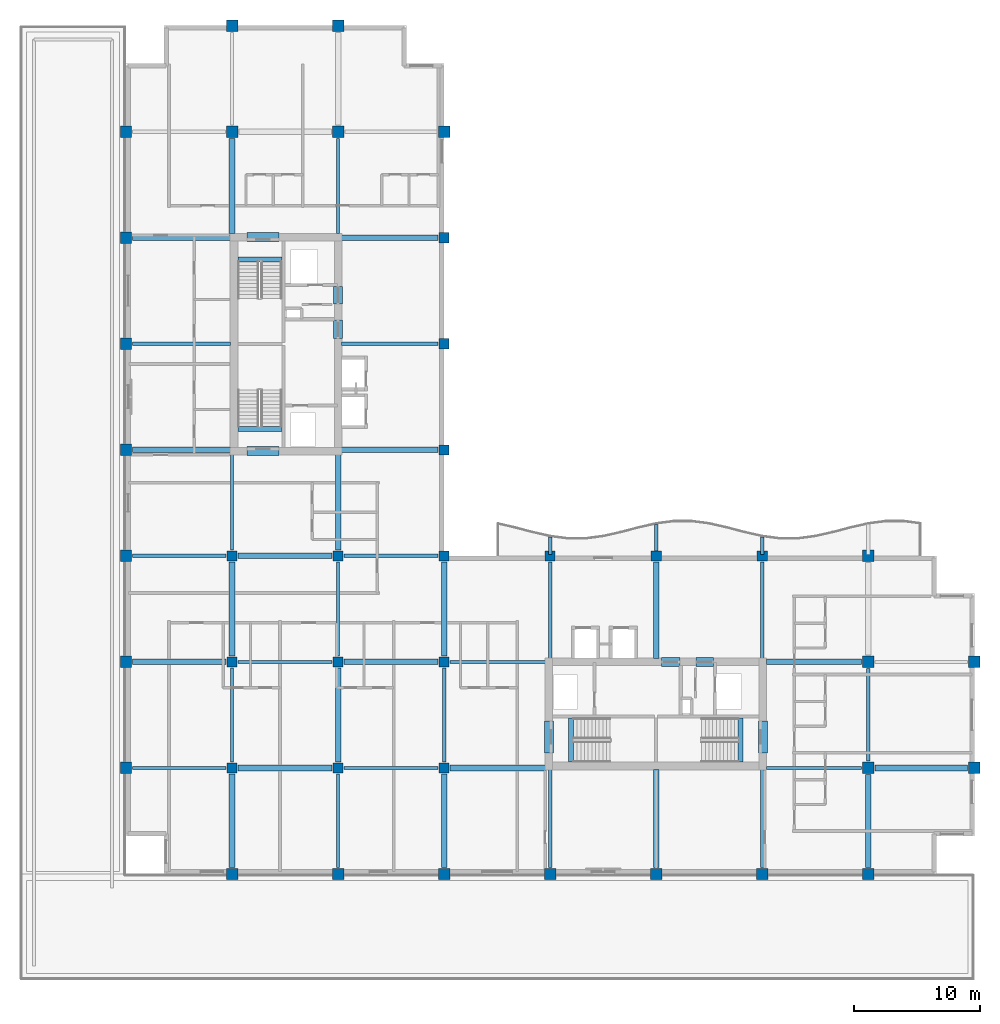
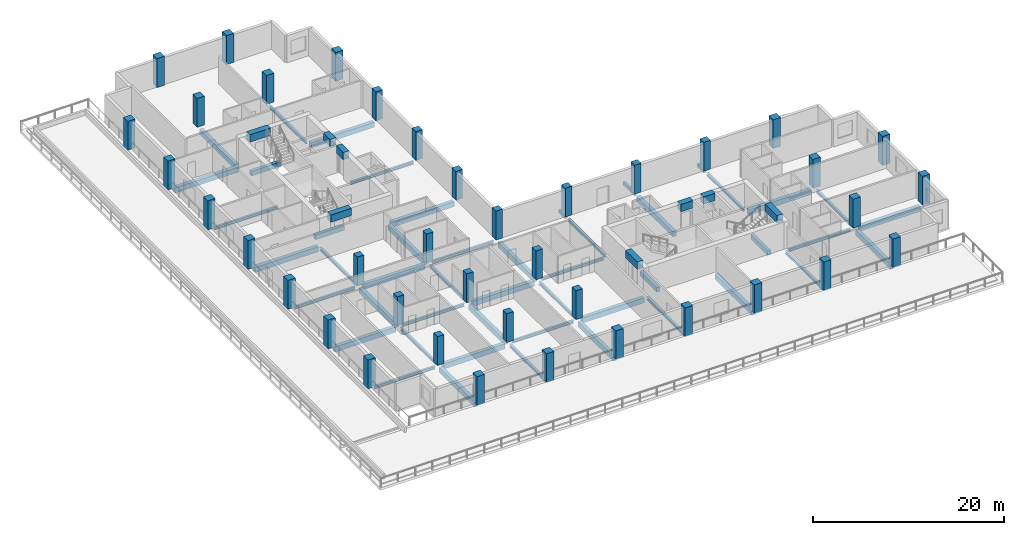
# One storey, part 1 of 13: 56 beams, 39 columns.
"""IFC4 building model written with IfcOpenShell, lengths in metres."""

from ifc_helpers import new_model, si_unit, direction, frame, origin, origin_2d, place, context, subcontext, project, spatial, rectangle, i_section, extrude, material, material_profile, profile_set, type_object, element, save


model = new_model("IFC4")

# Units and contexts
model_context = context("Model", 3, precision=1e-05, world=origin(), true_north=direction((0.0, 1.0)))
body_context = subcontext(model_context, "Body", "Model", "MODEL_VIEW")
ifc_project = project(units=[si_unit("LENGTHUNIT", "METRE"), si_unit("AREAUNIT", "SQUARE_METRE"), si_unit("VOLUMEUNIT", "CUBIC_METRE"), si_unit("PLANEANGLEUNIT", "RADIAN"), si_unit("MASSUNIT", "GRAM", prefix="KILO")], contexts=[model_context])

# Site, building, storey
site_placement = place(None, origin())
site = spatial("IfcSite", under=ifc_project, at=site_placement, CompositionType="ELEMENT")
building_placement = place(site_placement, origin())
building = spatial("IfcBuilding", under=site, at=building_placement, Name="Koriwani Terraces Tower", CompositionType="ELEMENT")
storey_placement = place(building_placement, frame((0.0, 0.0, 234.199951171875)))
storey = spatial("IfcBuildingStorey", under=building, at=storey_placement, Name="L57", CompositionType="ELEMENT", Elevation=234.199951171875)

# Columns
ifc_material_1 = material(Name="Concrete C50/60", Category="concrete")
ifc_material_profile_1 = material_profile(ifc_material_1, rectangle(XDim=0.800048828125, YDim=0.800048828125, at=origin_2d()), Name="Concrete C50/60", Category="LoadBearing")
ifc_profile_set_1 = profile_set([ifc_material_profile_1], Name="Concrete C50/60")
column_type_1 = type_object("IfcColumnType", Name="COL_RC_800X800", PredefinedType="COLUMN", material=ifc_profile_set_1)
for number, where, z_axis, x_axis, name in (
    (1, (16.800048828125, 16.800048828125, 0.0), (0.0, 0.0, 1.0), (1.0, 0.0, 0.0), "L57 Column 3/C"),
    (2, (16.800048828125, 25.199951171875, 0.0), (0.0, 0.0, 1.0), (1.0, 0.0, 0.0), "L57 Column 3/D"),
    (3, (16.800048828125, 33.60009765625, 0.0), (0.0, 0.0, 1.0), (1.0, 0.0, 0.0), "L57 Column 3/E"),
    (4, (25.199951171875, 16.800048828125, 0.0), (0.0, 0.0, 1.0), (1.0, 0.0, 0.0), "L57 Column 4/C"),
    (5, (25.199951171875, 25.199951171875, 0.0), (0.0, 0.0, 1.0), (1.0, 0.0, 0.0), "L57 Column 4/D"),
    (6, (25.199951171875, 33.60009765625, 0.0), (0.0, 0.0, 1.0), (1.0, 0.0, 0.0), "L57 Column 4/E"),
    (7, (33.60009765625, 16.800048828125, 0.0), (0.0, 0.0, 1.0), (1.0, 0.0, 0.0), "L57 Column 5/C"),
    (8, (33.60009765625, 25.199951171875, 0.0), (0.0, 0.0, 1.0), (1.0, 0.0, 0.0), "L57 Column 5/D"),
    (9, (33.60009765625, 33.60009765625, 0.0), (0.0, 0.0, 1.0), (1.0, 0.0, 0.0), "L57 Column 5/E"),
    (10, (33.60009765625, 42.0, 0.0), (0.0, 0.0, 1.0), (1.0, 0.0, 0.0), "L57 Column 5/F"),
    (11, (33.60009765625, 50.39990234375, 0.0), (0.0, 0.0, 1.0), (1.0, 0.0, 0.0), "L57 Column 5/G"),
    (12, (33.60009765625, 58.800048828125, 0.0), (0.0, 0.0, 1.0), (1.0, 0.0, 0.0), "L57 Column 5/H"),
    (13, (42.0, 33.60009765625, 0.0), (0.0, 0.0, 1.0), (1.0, 0.0, 0.0), "L57 Column 6/E"),
    (14, (50.39990234375, 33.60009765625, 0.0), (0.0, 0.0, 1.0), (1.0, 0.0, 0.0), "L57 Column 7/E"),
    (15, (58.800048828125, 33.60009765625, 0.0), (0.0, 0.0, 1.0), (1.0, 0.0, 0.0), "L57 Column 8/E"),
):
    element("IfcColumn", number, at=place(storey_placement, frame(where, z_axis=z_axis, x_axis=x_axis)), inside=storey, type_object=column_type_1, Name=name, PredefinedType="COLUMN", context=body_context, shape_type="SweptSolid", body=[
        extrude(rectangle(XDim=0.800048828125, YDim=0.800048828125, at=origin_2d()), origin(), (0.0, 0.0, 1.0), 3.699951171875),
    ])
ifc_material_profile_2 = material_profile(ifc_material_1, rectangle(XDim=0.89990234375, YDim=0.89990234375, at=origin_2d()), Name="Concrete C50/60", Category="LoadBearing")
ifc_profile_set_2 = profile_set([ifc_material_profile_2], Name="Concrete C50/60")
column_type_2 = type_object("IfcColumnType", Name="COL_RC_900X900", PredefinedType="COLUMN", material=ifc_profile_set_2)
for number, where, z_axis, x_axis, name in (
    (16, (8.39990234375, 16.800048828125, 0.0), (0.0, 0.0, 1.0), (1.0, 0.0, 0.0), "L57 Column 2/C"),
    (17, (8.39990234375, 25.199951171875, 0.0), (0.0, 0.0, 1.0), (1.0, 0.0, 0.0), "L57 Column 2/D"),
    (18, (8.39990234375, 33.60009765625, 0.0), (0.0, 0.0, 1.0), (1.0, 0.0, 0.0), "L57 Column 2/E"),
    (19, (8.39990234375, 42.0, 0.0), (0.0, 0.0, 1.0), (1.0, 0.0, 0.0), "L57 Column 2/F"),
    (20, (8.39990234375, 50.39990234375, 0.0), (0.0, 0.0, 1.0), (1.0, 0.0, 0.0), "L57 Column 2/G"),
    (21, (8.39990234375, 58.800048828125, 0.0), (0.0, 0.0, 1.0), (1.0, 0.0, 0.0), "L57 Column 2/H"),
    (22, (8.39990234375, 67.199951171875, 0.0), (0.0, 0.0, 1.0), (1.0, 0.0, 0.0), "L57 Column 2/I"),
    (23, (16.800048828125, 8.39990234375, 0.0), (0.0, 0.0, 1.0), (1.0, 0.0, 0.0), "L57 Column 3/B"),
    (24, (16.800048828125, 67.199951171875, 0.0), (0.0, 0.0, 1.0), (1.0, 0.0, 0.0), "L57 Column 3/I"),
    (25, (16.800048828125, 75.60009765625, 0.0), (0.0, 0.0, 1.0), (1.0, 0.0, 0.0), "L57 Column 3/J"),
    (26, (25.199951171875, 8.39990234375, 0.0), (0.0, 0.0, 1.0), (1.0, 0.0, 0.0), "L57 Column 4/B"),
    (27, (25.199951171875, 67.199951171875, 0.0), (0.0, 0.0, 1.0), (1.0, 0.0, 0.0), "L57 Column 4/I"),
    (28, (25.199951171875, 75.60009765625, 0.0), (0.0, 0.0, 1.0), (1.0, 0.0, 0.0), "L57 Column 4/J"),
    (29, (33.60009765625, 8.39990234375, 0.0), (0.0, 0.0, 1.0), (1.0, 0.0, 0.0), "L57 Column 5/B"),
    (30, (33.60009765625, 67.199951171875, 0.0), (0.0, 0.0, 1.0), (1.0, 0.0, 0.0), "L57 Column 5/I"),
    (31, (42.0, 8.39990234375, 0.0), (0.0, 0.0, 1.0), (1.0, 0.0, 0.0), "L57 Column 6/B"),
    (32, (50.39990234375, 8.39990234375, 0.0), (0.0, 0.0, 1.0), (1.0, 0.0, 0.0), "L57 Column 7/B"),
    (33, (58.800048828125, 8.39990234375, 0.0), (0.0, 0.0, 1.0), (1.0, 0.0, 0.0), "L57 Column 8/B"),
    (34, (67.199951171875, 8.39990234375, 0.0), (0.0, 0.0, 1.0), (1.0, 0.0, 0.0), "L57 Column 9/B"),
    (35, (67.199951171875, 16.800048828125, 0.0), (0.0, 0.0, 1.0), (1.0, 0.0, 0.0), "L57 Column 9/C"),
    (36, (67.199951171875, 25.199951171875, 0.0), (0.0, 0.0, 1.0), (1.0, 0.0, 0.0), "L57 Column 9/D"),
    (37, (67.199951171875, 33.60009765625, 0.0), (0.0, 0.0, 1.0), (1.0, 0.0, 0.0), "L57 Column 9/E"),
    (38, (75.60009765625, 16.800048828125, 0.0), (0.0, 0.0, 1.0), (1.0, 0.0, 0.0), "L57 Column 10/C"),
    (39, (75.60009765625, 25.199951171875, 0.0), (0.0, 0.0, 1.0), (1.0, 0.0, 0.0), "L57 Column 10/D"),
):
    element("IfcColumn", number, at=place(storey_placement, frame(where, z_axis=z_axis, x_axis=x_axis)), inside=storey, type_object=column_type_2, Name=name, PredefinedType="COLUMN", context=body_context, shape_type="SweptSolid", body=[
        extrude(rectangle(XDim=0.89990234375, YDim=0.89990234375, at=origin_2d()), origin(), (0.0, 0.0, 1.0), 3.699951171875),
    ])

# Beams
ifc_material_2 = material(Name="Concrete C40/50", Category="concrete")
ifc_material_profile_3 = material_profile(ifc_material_2, rectangle(XDim=0.300048828125, YDim=0.39990234375, at=origin_2d()), Name="Concrete C40/50", Category="LoadBearing")
ifc_profile_set_3 = profile_set([ifc_material_profile_3], Name="Concrete C40/50")
beam_type_1 = type_object("IfcBeamType", Name="BEAM_RC_BALCONY_RIB_300X400", PredefinedType="JOIST", material=ifc_profile_set_3)
beam_1_placement = place(storey_placement, frame((42.0, 33.699951171875, -0.429931640625), z_axis=(0.0, 1.0, 0.0), x_axis=(-1.0, 0.0, 0.0)))
element("IfcBeam", 40, at=beam_1_placement, inside=storey, type_object=beam_type_1, Name="L57 Balcony Bracket Rib NE-1", PredefinedType="JOIST", context=body_context, shape_type="SweptSolid", body=[
    extrude(rectangle(XDim=0.300048828125, YDim=0.39990234375, at=origin_2d()), origin(), (0.0, 0.0, 1.0), 1.387939453125),
])
beam_2_placement = place(storey_placement, frame((50.39990234375, 33.699951171875, -0.429931640625), z_axis=(0.0, 1.0, 0.0), x_axis=(-1.0, 0.0, 0.0)))
element("IfcBeam", 41, at=beam_2_placement, inside=storey, type_object=beam_type_1, Name="L57 Balcony Bracket Rib NE-2", PredefinedType="JOIST", context=body_context, shape_type="SweptSolid", body=[
    extrude(rectangle(XDim=0.300048828125, YDim=0.39990234375, at=origin_2d()), origin(), (0.0, 0.0, 1.0), 2.39208984375),
])
beam_3_placement = place(storey_placement, frame((58.800048828125, 33.699951171875, -0.429931640625), z_axis=(0.0, 1.0, 0.0), x_axis=(-1.0, 0.0, 0.0)))
element("IfcBeam", 42, at=beam_3_placement, inside=storey, type_object=beam_type_1, Name="L57 Balcony Bracket Rib NE-3", PredefinedType="JOIST", context=body_context, shape_type="SweptSolid", body=[
    extrude(rectangle(XDim=0.300048828125, YDim=0.39990234375, at=origin_2d()), origin(), (0.0, 0.0, 1.0), 1.387939453125),
])
ifc_material_3 = material(Name="Concrete C60/75", Category="concrete")
ifc_material_profile_4 = material_profile(ifc_material_3, rectangle(XDim=0.699951171875, YDim=0.949951171875, at=origin_2d()), Name="Concrete C60/75", Category="LoadBearing")
ifc_profile_set_4 = profile_set([ifc_material_profile_4], Name="Concrete C60/75")
beam_type_2 = type_object("IfcBeamType", Name="BEAM_RC_COUPLING_700X950", PredefinedType="LINTEL", material=ifc_profile_set_4)
beam_4_placement = place(storey_placement, frame((25.199951171875, 50.800048828125, 2.9951171875), z_axis=(0.0, 1.0, 0.0), x_axis=(-1.0, 0.0, 0.0)))
element("IfcBeam", 43, at=beam_4_placement, inside=storey, type_object=beam_type_2, Name="L57 Core Coupling Lintel Beam WE1", PredefinedType="LINTEL", context=body_context, shape_type="SweptSolid", body=[
    extrude(rectangle(XDim=0.699951171875, YDim=0.949951171875, at=origin_2d()), origin(), (0.0, 0.0, 1.0), 1.47998046875),
])
beam_5_placement = place(storey_placement, frame((25.199951171875, 53.550048828125, 2.9951171875), z_axis=(0.0, 1.0, 0.0), x_axis=(-1.0, 0.0, 0.0)))
element("IfcBeam", 44, at=beam_5_placement, inside=storey, type_object=beam_type_2, Name="L57 Core Coupling Lintel Beam WE2", PredefinedType="LINTEL", context=body_context, shape_type="SweptSolid", body=[
    extrude(rectangle(XDim=0.699951171875, YDim=0.949951171875, at=origin_2d()), origin(), (0.0, 0.0, 1.0), 1.39990234375),
])
for number, where, z_axis, x_axis, name in (
    (45, (18.0, 41.89990234375, 2.9951171875), (1.0, 0.0, 0.0), (0.0, 1.0, 0.0), "L57 Core Coupling Lintel Beam WS"),
    (46, (18.0, 58.85009765625, 2.9951171875), (1.0, 0.0, 0.0), (0.0, 1.0, 0.0), "L57 Core Coupling Lintel Beam WN"),
):
    element("IfcBeam", number, at=place(storey_placement, frame(where, z_axis=z_axis, x_axis=x_axis)), inside=storey, type_object=beam_type_2, Name=name, PredefinedType="LINTEL", context=body_context, shape_type="SweptSolid", body=[
        extrude(rectangle(XDim=0.699951171875, YDim=0.949951171875, at=origin_2d()), origin(), (0.0, 0.0, 1.0), 2.5),
    ])
beam_6_placement = place(storey_placement, frame((50.800048828125, 25.199951171875, 2.9951171875), z_axis=(1.0, 0.0, 0.0), x_axis=(0.0, 1.0, 0.0)))
element("IfcBeam", 47, at=beam_6_placement, inside=storey, type_object=beam_type_2, Name="L57 Core Coupling Lintel Beam EN1", PredefinedType="LINTEL", context=body_context, shape_type="SweptSolid", body=[
    extrude(rectangle(XDim=0.699951171875, YDim=0.949951171875, at=origin_2d()), origin(), (0.0, 0.0, 1.0), 1.47998046875),
])
beam_7_placement = place(storey_placement, frame((53.550048828125, 25.199951171875, 2.9951171875), z_axis=(1.0, 0.0, 0.0), x_axis=(0.0, 1.0, 0.0)))
element("IfcBeam", 48, at=beam_7_placement, inside=storey, type_object=beam_type_2, Name="L57 Core Coupling Lintel Beam EN2", PredefinedType="LINTEL", context=body_context, shape_type="SweptSolid", body=[
    extrude(rectangle(XDim=0.699951171875, YDim=0.949951171875, at=origin_2d()), origin(), (0.0, 0.0, 1.0), 1.39990234375),
])
for number, where, z_axis, x_axis, name in (
    (49, (41.89990234375, 18.0, 2.9951171875), (0.0, 1.0, 0.0), (-1.0, 0.0, 0.0), "L57 Core Coupling Lintel Beam EW"),
    (50, (58.85009765625, 18.0, 2.9951171875), (0.0, 1.0, 0.0), (-1.0, 0.0, 0.0), "L57 Core Coupling Lintel Beam EE"),
):
    element("IfcBeam", number, at=place(storey_placement, frame(where, z_axis=z_axis, x_axis=x_axis)), inside=storey, type_object=beam_type_2, Name=name, PredefinedType="LINTEL", context=body_context, shape_type="SweptSolid", body=[
        extrude(rectangle(XDim=0.699951171875, YDim=0.949951171875, at=origin_2d()), origin(), (0.0, 0.0, 1.0), 2.5),
    ])
ifc_material_profile_5 = material_profile(ifc_material_2, rectangle(XDim=0.39990234375, YDim=0.60009765625, at=origin_2d()), Name="Concrete C40/50", Category="LoadBearing")
ifc_profile_set_5 = profile_set([ifc_material_profile_5], Name="Concrete C40/50")
beam_type_3 = type_object("IfcBeamType", Name="BEAM_RC_GRID_400X600", PredefinedType="BEAM", material=ifc_profile_set_5)
for number, where, z_axis, x_axis, name in (
    (51, (17.25, 43.655029296875, -0.300048828125), (1.0, 0.0, 0.0), (0.0, 1.0, 0.0), "L57 Stairwell Header Trimmer Beam ST-W1"),
    (52, (17.25, 57.094970703125, -0.300048828125), (1.0, 0.0, 0.0), (0.0, 1.0, 0.0), "L57 Stairwell Header Trimmer Beam ST-W2"),
    (53, (43.655029296875, 17.25, -0.300048828125), (0.0, 1.0, 0.0), (-1.0, 0.0, 0.0), "L57 Stairwell Header Trimmer Beam ST-E1"),
    (54, (57.094970703125, 17.25, -0.300048828125), (0.0, 1.0, 0.0), (-1.0, 0.0, 0.0), "L57 Stairwell Header Trimmer Beam ST-E2"),
):
    element("IfcBeam", number, at=place(storey_placement, frame(where, z_axis=z_axis, x_axis=x_axis)), inside=storey, type_object=beam_type_3, Name=name, PredefinedType="BEAM", context=body_context, shape_type="SweptSolid", body=[
        extrude(rectangle(XDim=0.39990234375, YDim=0.60009765625, at=origin_2d()), origin(), (0.0, 0.0, 1.0), 3.5),
    ])
ifc_material_profile_6 = material_profile(ifc_material_1, rectangle(XDim=0.449951171875, YDim=0.64990234375, at=origin_2d()), Name="Concrete C50/60", Category="LoadBearing")
ifc_profile_set_6 = profile_set([ifc_material_profile_6], Name="Concrete C50/60")
beam_type_4 = type_object("IfcBeamType", Name="BEAM_RC_GRID_450X650", PredefinedType="BEAM", material=ifc_profile_set_6)
beam_8_placement = place(storey_placement, frame((17.280029296875, 16.800048828125, -0.554931640625), z_axis=(1.0, 0.0, 0.0), x_axis=(0.0, 1.0, 0.0)))
element("IfcBeam", 55, at=beam_8_placement, inside=storey, type_object=beam_type_4, Name="L57 Grid Beam C (16.8-25.2m)", PredefinedType="BEAM", context=body_context, shape_type="SweptSolid", body=[
    extrude(rectangle(XDim=0.449951171875, YDim=0.64990234375, at=origin_2d()), origin(), (0.0, 0.0, 1.0), 7.43994140625),
])
beam_9_placement = place(storey_placement, frame((34.080078125, 16.800048828125, -0.554931640625), z_axis=(1.0, 0.0, 0.0), x_axis=(0.0, 1.0, 0.0)))
element("IfcBeam", 56, at=beam_9_placement, inside=storey, type_object=beam_type_4, Name="L57 Grid Beam C (33.6-42.0m)", PredefinedType="BEAM", context=body_context, shape_type="SweptSolid", body=[
    extrude(rectangle(XDim=0.449951171875, YDim=0.64990234375, at=origin_2d()), origin(), (0.0, 0.0, 1.0), 7.5400390625),
])
beam_10_placement = place(storey_placement, frame((67.72998046875, 16.800048828125, -0.554931640625), z_axis=(1.0, 0.0, 0.0), x_axis=(0.0, 1.0, 0.0)))
element("IfcBeam", 57, at=beam_10_placement, inside=storey, type_object=beam_type_4, Name="L57 Grid Beam C (67.2-75.6m)", PredefinedType="BEAM", context=body_context, shape_type="SweptSolid", body=[
    extrude(rectangle(XDim=0.449951171875, YDim=0.64990234375, at=origin_2d()), origin(), (0.0, 0.0, 1.0), 7.340087890625),
])
beam_11_placement = place(storey_placement, frame((8.929931640625, 25.199951171875, -0.554931640625), z_axis=(1.0, 0.0, 0.0), x_axis=(0.0, 1.0, 0.0)))
element("IfcBeam", 58, at=beam_11_placement, inside=storey, type_object=beam_type_4, Name="L57 Grid Beam D (8.4-16.8m)", PredefinedType="BEAM", context=body_context, shape_type="SweptSolid", body=[
    extrude(rectangle(XDim=0.449951171875, YDim=0.64990234375, at=origin_2d()), origin(), (0.0, 0.0, 1.0), 7.39013671875),
])
beam_12_placement = place(storey_placement, frame((25.679931640625, 25.199951171875, -0.554931640625), z_axis=(1.0, 0.0, 0.0), x_axis=(0.0, 1.0, 0.0)))
element("IfcBeam", 59, at=beam_12_placement, inside=storey, type_object=beam_type_4, Name="L57 Grid Beam D (25.2-33.6m)", PredefinedType="BEAM", context=body_context, shape_type="SweptSolid", body=[
    extrude(rectangle(XDim=0.449951171875, YDim=0.64990234375, at=origin_2d()), origin(), (0.0, 0.0, 1.0), 7.440185546875),
])
beam_13_placement = place(storey_placement, frame((59.1298828125, 25.199951171875, -0.554931640625), z_axis=(1.0, 0.0, 0.0), x_axis=(0.0, 1.0, 0.0)))
element("IfcBeam", 60, at=beam_13_placement, inside=storey, type_object=beam_type_4, Name="L57 Grid Beam D (58.8-67.2m)", PredefinedType="BEAM", context=body_context, shape_type="SweptSolid", body=[
    extrude(rectangle(XDim=0.449951171875, YDim=0.64990234375, at=origin_2d()), origin(), (0.0, 0.0, 1.0), 7.5400390625),
])
beam_14_placement = place(storey_placement, frame((17.280029296875, 33.60009765625, -0.554931640625), z_axis=(1.0, 0.0, 0.0), x_axis=(0.0, 1.0, 0.0)))
element("IfcBeam", 61, at=beam_14_placement, inside=storey, type_object=beam_type_4, Name="L57 Grid Beam E (16.8-25.2m)", PredefinedType="BEAM", context=body_context, shape_type="SweptSolid", body=[
    extrude(rectangle(XDim=0.449951171875, YDim=0.64990234375, at=origin_2d()), origin(), (0.0, 0.0, 1.0), 7.43994140625),
])
beam_15_placement = place(storey_placement, frame((8.929931640625, 42.0, -0.554931640625), z_axis=(1.0, 0.0, 0.0), x_axis=(0.0, 1.0, 0.0)))
element("IfcBeam", 62, at=beam_15_placement, inside=storey, type_object=beam_type_4, Name="L57 Grid Beam F (8.4-16.8m)", PredefinedType="BEAM", context=body_context, shape_type="SweptSolid", body=[
    extrude(rectangle(XDim=0.449951171875, YDim=0.64990234375, at=origin_2d()), origin(), (0.0, 0.0, 1.0), 7.739990234375),
])
beam_16_placement = place(storey_placement, frame((25.47998046875, 42.0, -0.554931640625), z_axis=(1.0, 0.0, 0.0), x_axis=(0.0, 1.0, 0.0)))
element("IfcBeam", 63, at=beam_16_placement, inside=storey, type_object=beam_type_4, Name="L57 Grid Beam F (25.2-33.6m)", PredefinedType="BEAM", context=body_context, shape_type="SweptSolid", body=[
    extrude(rectangle(XDim=0.449951171875, YDim=0.64990234375, at=origin_2d()), origin(), (0.0, 0.0, 1.0), 7.64013671875),
])
beam_17_placement = place(storey_placement, frame((8.929931640625, 58.800048828125, -0.554931640625), z_axis=(1.0, 0.0, 0.0), x_axis=(0.0, 1.0, 0.0)))
element("IfcBeam", 64, at=beam_17_placement, inside=storey, type_object=beam_type_4, Name="L57 Grid Beam H (8.4-16.8m)", PredefinedType="BEAM", context=body_context, shape_type="SweptSolid", body=[
    extrude(rectangle(XDim=0.449951171875, YDim=0.64990234375, at=origin_2d()), origin(), (0.0, 0.0, 1.0), 7.739990234375),
])
beam_18_placement = place(storey_placement, frame((25.47998046875, 58.800048828125, -0.554931640625), z_axis=(1.0, 0.0, 0.0), x_axis=(0.0, 1.0, 0.0)))
element("IfcBeam", 65, at=beam_18_placement, inside=storey, type_object=beam_type_4, Name="L57 Grid Beam H (25.2-33.6m)", PredefinedType="BEAM", context=body_context, shape_type="SweptSolid", body=[
    extrude(rectangle(XDim=0.449951171875, YDim=0.64990234375, at=origin_2d()), origin(), (0.0, 0.0, 1.0), 7.64013671875),
])
beam_19_placement = place(storey_placement, frame((16.800048828125, 8.929931640625, -0.554931640625), z_axis=(0.0, 1.0, 0.0), x_axis=(-1.0, 0.0, 0.0)))
element("IfcBeam", 66, at=beam_19_placement, inside=storey, type_object=beam_type_4, Name="L57 Grid Beam 3 (8.4-16.8m)", PredefinedType="BEAM", context=body_context, shape_type="SweptSolid", body=[
    extrude(rectangle(XDim=0.449951171875, YDim=0.64990234375, at=origin_2d()), origin(), (0.0, 0.0, 1.0), 7.39013671875),
])
beam_20_placement = place(storey_placement, frame((16.800048828125, 25.679931640625, -0.554931640625), z_axis=(0.0, 1.0, 0.0), x_axis=(-1.0, 0.0, 0.0)))
element("IfcBeam", 67, at=beam_20_placement, inside=storey, type_object=beam_type_4, Name="L57 Grid Beam 3 (25.2-33.6m)", PredefinedType="BEAM", context=body_context, shape_type="SweptSolid", body=[
    extrude(rectangle(XDim=0.449951171875, YDim=0.64990234375, at=origin_2d()), origin(), (0.0, 0.0, 1.0), 7.440185546875),
])
beam_21_placement = place(storey_placement, frame((16.800048828125, 59.1298828125, -0.554931640625), z_axis=(0.0, 1.0, 0.0), x_axis=(-1.0, 0.0, 0.0)))
element("IfcBeam", 68, at=beam_21_placement, inside=storey, type_object=beam_type_4, Name="L57 Grid Beam 3 (58.8-67.2m)", PredefinedType="BEAM", context=body_context, shape_type="SweptSolid", body=[
    extrude(rectangle(XDim=0.449951171875, YDim=0.64990234375, at=origin_2d()), origin(), (0.0, 0.0, 1.0), 7.5400390625),
])
beam_22_placement = place(storey_placement, frame((25.199951171875, 17.280029296875, -0.554931640625), z_axis=(0.0, 1.0, 0.0), x_axis=(-1.0, 0.0, 0.0)))
element("IfcBeam", 69, at=beam_22_placement, inside=storey, type_object=beam_type_4, Name="L57 Grid Beam 4 (16.8-25.2m)", PredefinedType="BEAM", context=body_context, shape_type="SweptSolid", body=[
    extrude(rectangle(XDim=0.449951171875, YDim=0.64990234375, at=origin_2d()), origin(), (0.0, 0.0, 1.0), 7.43994140625),
])
beam_23_placement = place(storey_placement, frame((25.199951171875, 34.080078125, -0.554931640625), z_axis=(0.0, 1.0, 0.0), x_axis=(-1.0, 0.0, 0.0)))
element("IfcBeam", 70, at=beam_23_placement, inside=storey, type_object=beam_type_4, Name="L57 Grid Beam 4 (33.6-42.0m)", PredefinedType="BEAM", context=body_context, shape_type="SweptSolid", body=[
    extrude(rectangle(XDim=0.449951171875, YDim=0.64990234375, at=origin_2d()), origin(), (0.0, 0.0, 1.0), 7.5400390625),
])
beam_24_placement = place(storey_placement, frame((33.60009765625, 8.929931640625, -0.554931640625), z_axis=(0.0, 1.0, 0.0), x_axis=(-1.0, 0.0, 0.0)))
element("IfcBeam", 71, at=beam_24_placement, inside=storey, type_object=beam_type_4, Name="L57 Grid Beam 5 (8.4-16.8m)", PredefinedType="BEAM", context=body_context, shape_type="SweptSolid", body=[
    extrude(rectangle(XDim=0.449951171875, YDim=0.64990234375, at=origin_2d()), origin(), (0.0, 0.0, 1.0), 7.39013671875),
])
beam_25_placement = place(storey_placement, frame((33.60009765625, 25.679931640625, -0.554931640625), z_axis=(0.0, 1.0, 0.0), x_axis=(-1.0, 0.0, 0.0)))
element("IfcBeam", 72, at=beam_25_placement, inside=storey, type_object=beam_type_4, Name="L57 Grid Beam 5 (25.2-33.6m)", PredefinedType="BEAM", context=body_context, shape_type="SweptSolid", body=[
    extrude(rectangle(XDim=0.449951171875, YDim=0.64990234375, at=origin_2d()), origin(), (0.0, 0.0, 1.0), 7.440185546875),
])
beam_26_placement = place(storey_placement, frame((50.39990234375, 8.929931640625, -0.554931640625), z_axis=(0.0, 1.0, 0.0), x_axis=(-1.0, 0.0, 0.0)))
element("IfcBeam", 73, at=beam_26_placement, inside=storey, type_object=beam_type_4, Name="L57 Grid Beam 7 (8.4-16.8m)", PredefinedType="BEAM", context=body_context, shape_type="SweptSolid", body=[
    extrude(rectangle(XDim=0.449951171875, YDim=0.64990234375, at=origin_2d()), origin(), (0.0, 0.0, 1.0), 7.739990234375),
])
beam_27_placement = place(storey_placement, frame((50.39990234375, 25.47998046875, -0.554931640625), z_axis=(0.0, 1.0, 0.0), x_axis=(-1.0, 0.0, 0.0)))
element("IfcBeam", 74, at=beam_27_placement, inside=storey, type_object=beam_type_4, Name="L57 Grid Beam 7 (25.2-33.6m)", PredefinedType="BEAM", context=body_context, shape_type="SweptSolid", body=[
    extrude(rectangle(XDim=0.449951171875, YDim=0.64990234375, at=origin_2d()), origin(), (0.0, 0.0, 1.0), 7.64013671875),
])
beam_28_placement = place(storey_placement, frame((67.199951171875, 8.929931640625, -0.554931640625), z_axis=(0.0, 1.0, 0.0), x_axis=(-1.0, 0.0, 0.0)))
element("IfcBeam", 75, at=beam_28_placement, inside=storey, type_object=beam_type_4, Name="L57 Grid Beam 9 (8.4-16.8m)", PredefinedType="BEAM", context=body_context, shape_type="SweptSolid", body=[
    extrude(rectangle(XDim=0.449951171875, YDim=0.64990234375, at=origin_2d()), origin(), (0.0, 0.0, 1.0), 7.340087890625),
])
ifc_material_4 = material(Name="Steel ASTM A572 Grade 50", Category="steel")
ifc_material_profile_7 = material_profile(ifc_material_4, i_section(OverallWidth=0.257080078125, OverallDepth=0.363037109375, WebThickness=0.012939453125, FlangeThickness=0.021728515625, at=origin_2d()), Name="Steel ASTM A572 Grade 50", Category="LoadBearing")
ifc_profile_set_7 = profile_set([ifc_material_profile_7], Name="Steel ASTM A572 Grade 50")
beam_type_5 = type_object("IfcBeamType", Name="STEEL_BEAM_W360X122", PredefinedType="JOIST", material=ifc_profile_set_7)
beam_29_placement = place(storey_placement, frame((8.929931640625, 16.800048828125, -0.411376953125), z_axis=(1.0, 0.0, 0.0), x_axis=(0.0, 1.0, 0.0)))
element("IfcBeam", 76, at=beam_29_placement, inside=storey, type_object=beam_type_5, Name="L57 Grid Beam C (8.4-16.8m)", PredefinedType="JOIST", context=body_context, shape_type="SweptSolid", body=[
    extrude(i_section(OverallWidth=0.257080078125, OverallDepth=0.363037109375, WebThickness=0.012939453125, FlangeThickness=0.021728515625, at=origin_2d()), origin(), (0.0, 0.0, 1.0), 7.39013671875),
])
beam_30_placement = place(storey_placement, frame((25.679931640625, 16.800048828125, -0.411376953125), z_axis=(1.0, 0.0, 0.0), x_axis=(0.0, 1.0, 0.0)))
element("IfcBeam", 77, at=beam_30_placement, inside=storey, type_object=beam_type_5, Name="L57 Grid Beam C (25.2-33.6m)", PredefinedType="JOIST", context=body_context, shape_type="SweptSolid", body=[
    extrude(i_section(OverallWidth=0.257080078125, OverallDepth=0.363037109375, WebThickness=0.012939453125, FlangeThickness=0.021728515625, at=origin_2d()), origin(), (0.0, 0.0, 1.0), 7.440185546875),
])
beam_31_placement = place(storey_placement, frame((59.1298828125, 16.800048828125, -0.411376953125), z_axis=(1.0, 0.0, 0.0), x_axis=(0.0, 1.0, 0.0)))
element("IfcBeam", 78, at=beam_31_placement, inside=storey, type_object=beam_type_5, Name="L57 Grid Beam C (58.8-67.2m)", PredefinedType="JOIST", context=body_context, shape_type="SweptSolid", body=[
    extrude(i_section(OverallWidth=0.257080078125, OverallDepth=0.363037109375, WebThickness=0.012939453125, FlangeThickness=0.021728515625, at=origin_2d()), origin(), (0.0, 0.0, 1.0), 7.5400390625),
])
beam_32_placement = place(storey_placement, frame((17.280029296875, 25.199951171875, -0.411376953125), z_axis=(1.0, 0.0, 0.0), x_axis=(0.0, 1.0, 0.0)))
element("IfcBeam", 79, at=beam_32_placement, inside=storey, type_object=beam_type_5, Name="L57 Grid Beam D (16.8-25.2m)", PredefinedType="JOIST", context=body_context, shape_type="SweptSolid", body=[
    extrude(i_section(OverallWidth=0.257080078125, OverallDepth=0.363037109375, WebThickness=0.012939453125, FlangeThickness=0.021728515625, at=origin_2d()), origin(), (0.0, 0.0, 1.0), 7.43994140625),
])
beam_33_placement = place(storey_placement, frame((34.080078125, 25.199951171875, -0.411376953125), z_axis=(1.0, 0.0, 0.0), x_axis=(0.0, 1.0, 0.0)))
element("IfcBeam", 80, at=beam_33_placement, inside=storey, type_object=beam_type_5, Name="L57 Grid Beam D (33.6-42.0m)", PredefinedType="JOIST", context=body_context, shape_type="SweptSolid", body=[
    extrude(i_section(OverallWidth=0.257080078125, OverallDepth=0.363037109375, WebThickness=0.012939453125, FlangeThickness=0.021728515625, at=origin_2d()), origin(), (0.0, 0.0, 1.0), 7.5400390625),
])
beam_34_placement = place(storey_placement, frame((8.929931640625, 33.60009765625, -0.411376953125), z_axis=(1.0, 0.0, 0.0), x_axis=(0.0, 1.0, 0.0)))
element("IfcBeam", 81, at=beam_34_placement, inside=storey, type_object=beam_type_5, Name="L57 Grid Beam E (8.4-16.8m)", PredefinedType="JOIST", context=body_context, shape_type="SweptSolid", body=[
    extrude(i_section(OverallWidth=0.257080078125, OverallDepth=0.363037109375, WebThickness=0.012939453125, FlangeThickness=0.021728515625, at=origin_2d()), origin(), (0.0, 0.0, 1.0), 7.39013671875),
])
beam_35_placement = place(storey_placement, frame((25.679931640625, 33.60009765625, -0.411376953125), z_axis=(1.0, 0.0, 0.0), x_axis=(0.0, 1.0, 0.0)))
element("IfcBeam", 82, at=beam_35_placement, inside=storey, type_object=beam_type_5, Name="L57 Grid Beam E (25.2-33.6m)", PredefinedType="JOIST", context=body_context, shape_type="SweptSolid", body=[
    extrude(i_section(OverallWidth=0.257080078125, OverallDepth=0.363037109375, WebThickness=0.012939453125, FlangeThickness=0.021728515625, at=origin_2d()), origin(), (0.0, 0.0, 1.0), 7.440185546875),
])
beam_36_placement = place(storey_placement, frame((8.929931640625, 50.39990234375, -0.411376953125), z_axis=(1.0, 0.0, 0.0), x_axis=(0.0, 1.0, 0.0)))
element("IfcBeam", 83, at=beam_36_placement, inside=storey, type_object=beam_type_5, Name="L57 Grid Beam G (8.4-16.8m)", PredefinedType="JOIST", context=body_context, shape_type="SweptSolid", body=[
    extrude(i_section(OverallWidth=0.257080078125, OverallDepth=0.363037109375, WebThickness=0.012939453125, FlangeThickness=0.021728515625, at=origin_2d()), origin(), (0.0, 0.0, 1.0), 7.739990234375),
])
beam_37_placement = place(storey_placement, frame((25.47998046875, 50.39990234375, -0.411376953125), z_axis=(1.0, 0.0, 0.0), x_axis=(0.0, 1.0, 0.0)))
element("IfcBeam", 84, at=beam_37_placement, inside=storey, type_object=beam_type_5, Name="L57 Grid Beam G (25.2-33.6m)", PredefinedType="JOIST", context=body_context, shape_type="SweptSolid", body=[
    extrude(i_section(OverallWidth=0.257080078125, OverallDepth=0.363037109375, WebThickness=0.012939453125, FlangeThickness=0.021728515625, at=origin_2d()), origin(), (0.0, 0.0, 1.0), 7.64013671875),
])
beam_38_placement = place(storey_placement, frame((16.800048828125, 17.280029296875, -0.411376953125), z_axis=(0.0, 1.0, 0.0), x_axis=(-1.0, 0.0, 0.0)))
element("IfcBeam", 85, at=beam_38_placement, inside=storey, type_object=beam_type_5, Name="L57 Grid Beam 3 (16.8-25.2m)", PredefinedType="JOIST", context=body_context, shape_type="SweptSolid", body=[
    extrude(i_section(OverallWidth=0.257080078125, OverallDepth=0.363037109375, WebThickness=0.012939453125, FlangeThickness=0.021728515625, at=origin_2d()), origin(), (0.0, 0.0, 1.0), 7.43994140625),
])
beam_39_placement = place(storey_placement, frame((16.800048828125, 34.080078125, -0.411376953125), z_axis=(0.0, 1.0, 0.0), x_axis=(-1.0, 0.0, 0.0)))
element("IfcBeam", 86, at=beam_39_placement, inside=storey, type_object=beam_type_5, Name="L57 Grid Beam 3 (33.6-42.0m)", PredefinedType="JOIST", context=body_context, shape_type="SweptSolid", body=[
    extrude(i_section(OverallWidth=0.257080078125, OverallDepth=0.363037109375, WebThickness=0.012939453125, FlangeThickness=0.021728515625, at=origin_2d()), origin(), (0.0, 0.0, 1.0), 7.5400390625),
])
beam_40_placement = place(storey_placement, frame((25.199951171875, 8.929931640625, -0.411376953125), z_axis=(0.0, 1.0, 0.0), x_axis=(-1.0, 0.0, 0.0)))
element("IfcBeam", 87, at=beam_40_placement, inside=storey, type_object=beam_type_5, Name="L57 Grid Beam 4 (8.4-16.8m)", PredefinedType="JOIST", context=body_context, shape_type="SweptSolid", body=[
    extrude(i_section(OverallWidth=0.257080078125, OverallDepth=0.363037109375, WebThickness=0.012939453125, FlangeThickness=0.021728515625, at=origin_2d()), origin(), (0.0, 0.0, 1.0), 7.39013671875),
])
beam_41_placement = place(storey_placement, frame((25.199951171875, 25.679931640625, -0.411376953125), z_axis=(0.0, 1.0, 0.0), x_axis=(-1.0, 0.0, 0.0)))
element("IfcBeam", 88, at=beam_41_placement, inside=storey, type_object=beam_type_5, Name="L57 Grid Beam 4 (25.2-33.6m)", PredefinedType="JOIST", context=body_context, shape_type="SweptSolid", body=[
    extrude(i_section(OverallWidth=0.257080078125, OverallDepth=0.363037109375, WebThickness=0.012939453125, FlangeThickness=0.021728515625, at=origin_2d()), origin(), (0.0, 0.0, 1.0), 7.440185546875),
])
beam_42_placement = place(storey_placement, frame((25.199951171875, 59.1298828125, -0.411376953125), z_axis=(0.0, 1.0, 0.0), x_axis=(-1.0, 0.0, 0.0)))
element("IfcBeam", 89, at=beam_42_placement, inside=storey, type_object=beam_type_5, Name="L57 Grid Beam 4 (58.8-67.2m)", PredefinedType="JOIST", context=body_context, shape_type="SweptSolid", body=[
    extrude(i_section(OverallWidth=0.257080078125, OverallDepth=0.363037109375, WebThickness=0.012939453125, FlangeThickness=0.021728515625, at=origin_2d()), origin(), (0.0, 0.0, 1.0), 7.5400390625),
])
beam_43_placement = place(storey_placement, frame((33.60009765625, 17.280029296875, -0.411376953125), z_axis=(0.0, 1.0, 0.0), x_axis=(-1.0, 0.0, 0.0)))
element("IfcBeam", 90, at=beam_43_placement, inside=storey, type_object=beam_type_5, Name="L57 Grid Beam 5 (16.8-25.2m)", PredefinedType="JOIST", context=body_context, shape_type="SweptSolid", body=[
    extrude(i_section(OverallWidth=0.257080078125, OverallDepth=0.363037109375, WebThickness=0.012939453125, FlangeThickness=0.021728515625, at=origin_2d()), origin(), (0.0, 0.0, 1.0), 7.43994140625),
])
beam_44_placement = place(storey_placement, frame((42.0, 8.929931640625, -0.411376953125), z_axis=(0.0, 1.0, 0.0), x_axis=(-1.0, 0.0, 0.0)))
element("IfcBeam", 91, at=beam_44_placement, inside=storey, type_object=beam_type_5, Name="L57 Grid Beam 6 (8.4-16.8m)", PredefinedType="JOIST", context=body_context, shape_type="SweptSolid", body=[
    extrude(i_section(OverallWidth=0.257080078125, OverallDepth=0.363037109375, WebThickness=0.012939453125, FlangeThickness=0.021728515625, at=origin_2d()), origin(), (0.0, 0.0, 1.0), 7.739990234375),
])
beam_45_placement = place(storey_placement, frame((42.0, 25.47998046875, -0.411376953125), z_axis=(0.0, 1.0, 0.0), x_axis=(-1.0, 0.0, 0.0)))
element("IfcBeam", 92, at=beam_45_placement, inside=storey, type_object=beam_type_5, Name="L57 Grid Beam 6 (25.2-33.6m)", PredefinedType="JOIST", context=body_context, shape_type="SweptSolid", body=[
    extrude(i_section(OverallWidth=0.257080078125, OverallDepth=0.363037109375, WebThickness=0.012939453125, FlangeThickness=0.021728515625, at=origin_2d()), origin(), (0.0, 0.0, 1.0), 7.64013671875),
])
beam_46_placement = place(storey_placement, frame((58.800048828125, 8.929931640625, -0.411376953125), z_axis=(0.0, 1.0, 0.0), x_axis=(-1.0, 0.0, 0.0)))
element("IfcBeam", 93, at=beam_46_placement, inside=storey, type_object=beam_type_5, Name="L57 Grid Beam 8 (8.4-16.8m)", PredefinedType="JOIST", context=body_context, shape_type="SweptSolid", body=[
    extrude(i_section(OverallWidth=0.257080078125, OverallDepth=0.363037109375, WebThickness=0.012939453125, FlangeThickness=0.021728515625, at=origin_2d()), origin(), (0.0, 0.0, 1.0), 7.739990234375),
])
beam_47_placement = place(storey_placement, frame((58.800048828125, 25.47998046875, -0.411376953125), z_axis=(0.0, 1.0, 0.0), x_axis=(-1.0, 0.0, 0.0)))
element("IfcBeam", 94, at=beam_47_placement, inside=storey, type_object=beam_type_5, Name="L57 Grid Beam 8 (25.2-33.6m)", PredefinedType="JOIST", context=body_context, shape_type="SweptSolid", body=[
    extrude(i_section(OverallWidth=0.257080078125, OverallDepth=0.363037109375, WebThickness=0.012939453125, FlangeThickness=0.021728515625, at=origin_2d()), origin(), (0.0, 0.0, 1.0), 7.64013671875),
])
beam_48_placement = place(storey_placement, frame((67.199951171875, 17.330078125, -0.411376953125), z_axis=(0.0, 1.0, 0.0), x_axis=(-1.0, 0.0, 0.0)))
element("IfcBeam", 95, at=beam_48_placement, inside=storey, type_object=beam_type_5, Name="L57 Grid Beam 9 (16.8-25.2m)", PredefinedType="JOIST", context=body_context, shape_type="SweptSolid", body=[
    extrude(i_section(OverallWidth=0.257080078125, OverallDepth=0.363037109375, WebThickness=0.012939453125, FlangeThickness=0.021728515625, at=origin_2d()), origin(), (0.0, 0.0, 1.0), 7.33984375),
])

save(model, "model.ifc")
